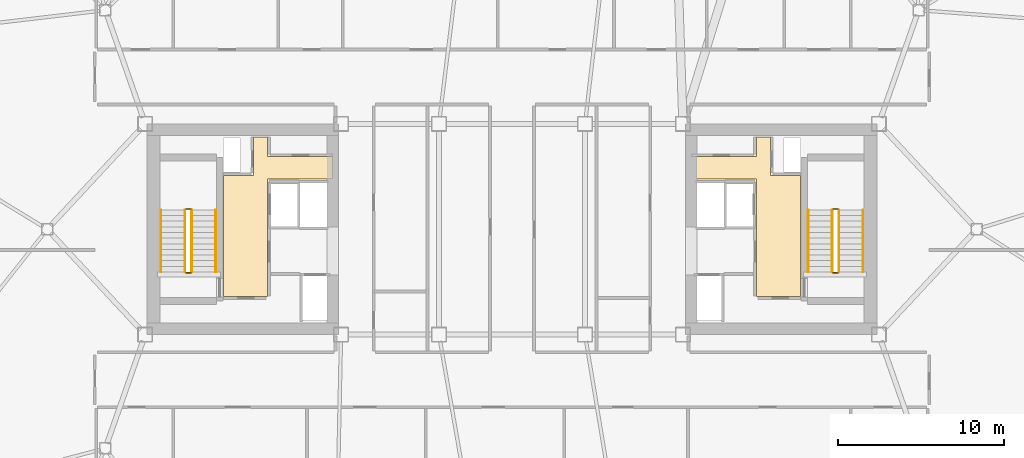
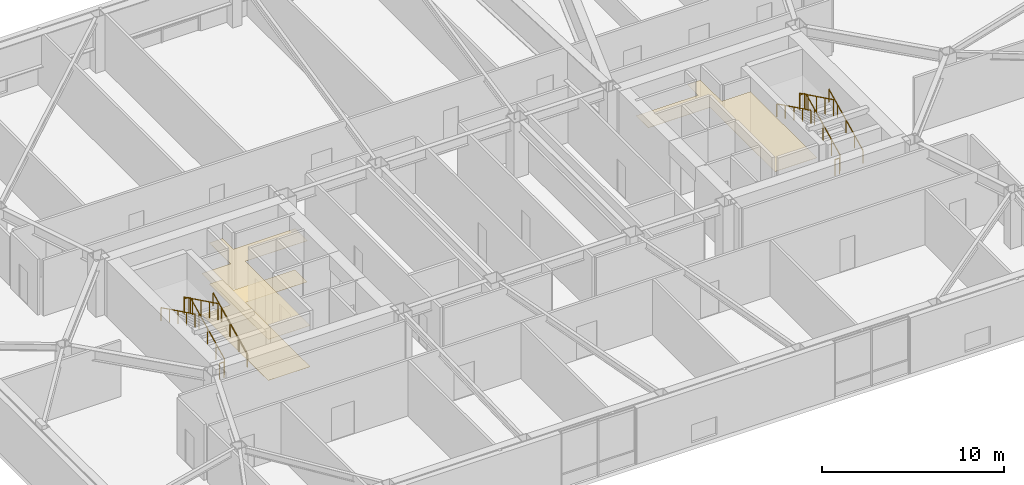
# One storey, part 18 of 19: 12 railings, 3 coverings.
"""IFC4 building model written with IfcOpenShell, lengths in metres."""

from ifc_helpers import new_model, si_unit, direction, frame, origin, origin_2d, place, context, subcontext, project, spatial, polyline, rectangle, outline, extrude, material, layer, layer_set, type_object, element, save


model = new_model("IFC4")

# Units and contexts
model_context = context("Model", 3, precision=1e-05, world=origin(), true_north=direction((0.0, 1.0)))
body_context = subcontext(model_context, "Body", "Model", "MODEL_VIEW")
ifc_project = project(units=[si_unit("LENGTHUNIT", "METRE"), si_unit("AREAUNIT", "SQUARE_METRE"), si_unit("VOLUMEUNIT", "CUBIC_METRE"), si_unit("PLANEANGLEUNIT", "RADIAN"), si_unit("MASSUNIT", "GRAM", prefix="KILO")], contexts=[model_context])

# Site, building, storey
site_placement = place(None, origin())
site = spatial("IfcSite", under=ifc_project, at=site_placement, CompositionType="ELEMENT")
building_placement = place(site_placement, origin())
building = spatial("IfcBuilding", under=site, at=building_placement, Name="Tavrogorsk Clinical Tower", CompositionType="ELEMENT")
storey_placement = place(building_placement, frame((0.0, 0.0, 172.199951171875)))
storey = spatial("IfcBuildingStorey", under=building, at=storey_placement, Name="L39", CompositionType="ELEMENT", Elevation=172.199951171875)

# Coverings
ifc_material_1 = material(Name="Antibacterial micro-perforated aluminium ceiling", Category="aluminium")
ifc_layer_1 = layer(ifc_material_1, 0.014892578125)
ifc_layer_set_1 = layer_set([ifc_layer_1], Name="Antibacterial micro-perforated aluminium ceiling")
covering_type_1 = type_object("IfcCoveringType", Name="ClinicalCeiling_15", PredefinedType="CEILING", material=ifc_layer_set_1)
covering_1_placement = place(storey_placement, frame((0.0, 0.0, 2.75)))
element("IfcCovering", 1, at=covering_1_placement, inside=storey, type_object=covering_type_1, Name="Core West Firefighting Lift Lobby Acoustic Ceiling", PredefinedType="CEILING", context=body_context, shape_type="SweptSolid", body=[
    extrude(outline(polyline([(-14.719970703125, 4.3798828125), (-10.800048828125, 4.3798828125), (-10.800048828125, 3.0400390625), (-14.719970703125, 3.0400390625), (-14.719970703125, -4.06005859375), (-17.3798828125, -4.06005859375), (-17.3798828125, 3.239990234375), (-15.56005859375, 3.239990234375), (-15.56005859375, 5.56005859375), (-14.719970703125, 5.56005859375), (-14.719970703125, 4.3798828125)])), origin(), (0.0, 0.0, 1.0), 0.01513671875),
])
covering_2_placement = place(storey_placement, frame((0.0, 0.0, 2.75)))
element("IfcCovering", 2, at=covering_2_placement, inside=storey, type_object=covering_type_1, Name="Core East Firefighting Lift Lobby Acoustic Ceiling", PredefinedType="CEILING", context=body_context, shape_type="SweptSolid", body=[
    extrude(outline(polyline([(14.719970703125, -4.06005859375), (14.719970703125, 3.0400390625), (10.800048828125, 3.0400390625), (10.800048828125, 4.3798828125), (14.719970703125, 4.3798828125), (14.719970703125, 5.56005859375), (15.56005859375, 5.56005859375), (15.56005859375, 3.239990234375), (17.3798828125, 3.239990234375), (17.3798828125, -4.06005859375), (14.719970703125, -4.06005859375)])), origin(), (0.0, 0.0, 1.0), 0.01513671875),
])
ifc_material_2 = material(Name="Homogeneous medical conductive PVC flooring")
ifc_layer_2 = layer(ifc_material_2, 0.008056640625)
ifc_layer_set_2 = layer_set([ifc_layer_2], Name="Homogeneous medical conductive PVC flooring")
covering_type_2 = type_object("IfcCoveringType", Name="ResilientVinylFloor_8", PredefinedType="FLOORING", material=ifc_layer_set_2)
covering_3_placement = place(storey_placement, origin())
element("IfcCovering", 3, at=covering_3_placement, inside=storey, type_object=covering_type_2, Name="Core West Firefighting Lift Lobby Conductive Vinyl Flooring", PredefinedType="FLOORING", context=body_context, shape_type="SweptSolid", body=[
    extrude(outline(polyline([(-14.719970703125, 4.3798828125), (-10.800048828125, 4.3798828125), (-10.800048828125, 3.0400390625), (-14.719970703125, 3.0400390625), (-14.719970703125, -4.06005859375), (-17.3798828125, -4.06005859375), (-17.3798828125, 3.239990234375), (-15.56005859375, 3.239990234375), (-15.56005859375, 5.56005859375), (-14.719970703125, 5.56005859375), (-14.719970703125, 4.3798828125)])), origin(), (0.0, 0.0, 1.0), 0.008056640625),
])

# Railings
ifc_material_3 = material(Name="Galvanised steel S355 safety stairwell guard", Category="steel")
ifc_layer_3 = layer(ifc_material_3, 0.06005859375)
ifc_layer_set_3 = layer_set([ifc_layer_3], Name="Galvanised steel S355 safety stairwell guard")
railing_type_1 = type_object("IfcRailingType", Name="StairGuard_1150", PredefinedType="GUARDRAIL", material=ifc_layer_set_3)
railing_1_placement = place(storey_placement, frame((-19.300048828125, -2.574951171875, 0.166748046875)))
element("IfcRailing", 4, at=railing_1_placement, inside=storey, type_object=railing_type_1, Name="L39 ST-W stair guard 1", PredefinedType="GUARDRAIL", context=body_context, shape_type="SweptSolid", body=[
    extrude(rectangle(XDim=0.048095703125, YDim=0.048095703125, at=origin_2d()), frame((0.0, 0.0, 1.076171875), z_axis=(0.0, 0.897927990467, 0.440142390523), x_axis=(-1.0, 0.0, 0.0)), (0.0, 0.0, 1.0), 4.1650390625),
    extrude(rectangle(XDim=0.0419921875, YDim=0.0419921875, at=origin_2d()), origin(), (0.0, 0.0, 1.0), 1.052001953125),
    extrude(rectangle(XDim=0.0419921875, YDim=0.0419921875, at=origin_2d()), frame((0.0, 0.93505859375, 0.458251953125)), (0.0, 0.0, 1.0), 1.052001953125),
    extrude(rectangle(XDim=0.0419921875, YDim=0.0419921875, at=origin_2d()), frame((0.0, 1.8701171875, 0.91650390625)), (0.0, 0.0, 1.0), 1.052001953125),
    extrude(rectangle(XDim=0.0419921875, YDim=0.0419921875, at=origin_2d()), frame((0.0, 2.804931640625, 1.375)), (0.0, 0.0, 1.0), 1.052001953125),
    extrude(rectangle(XDim=0.0419921875, YDim=0.0419921875, at=origin_2d()), frame((0.0, 3.739990234375, 1.833251953125)), (0.0, 0.0, 1.0), 1.052001953125),
])
railing_2_placement = place(storey_placement, frame((-19.35009765625, 1.215087890625, 2.0)))
element("IfcRailing", 5, at=railing_2_placement, inside=storey, type_object=railing_type_1, Name="L39 ST-W stair guard 2", PredefinedType="GUARDRAIL", context=body_context, shape_type="SweptSolid", body=[
    extrude(rectangle(XDim=0.048095703125, YDim=0.048095703125, at=origin_2d()), frame((0.0, 0.0, 1.076171875), z_axis=(-1.0, 0.0, 0.0), x_axis=(0.0, -1.0, 0.0)), (0.0, 0.0, 1.0), 0.2998046875),
    extrude(rectangle(XDim=0.0419921875, YDim=0.0419921875, at=origin_2d()), origin(), (0.0, 0.0, 1.0), 1.052001953125),
    extrude(rectangle(XDim=0.0419921875, YDim=0.0419921875, at=origin_2d()), frame((-0.2998046875, 0.0, 0.0)), (0.0, 0.0, 1.0), 1.052001953125),
])
railing_3_placement = place(storey_placement, frame((-19.699951171875, 1.1650390625, 2.166748046875)))
element("IfcRailing", 6, at=railing_3_placement, inside=storey, type_object=railing_type_1, Name="L39 ST-W stair guard 3", PredefinedType="GUARDRAIL", context=body_context, shape_type="SweptSolid", body=[
    extrude(rectangle(XDim=0.048095703125, YDim=0.048095703125, at=origin_2d()), frame((0.0, 0.0, 1.076171875), z_axis=(0.0, -0.897927990467, 0.440142390523), x_axis=(1.0, 0.0, 0.0)), (0.0, 0.0, 1.0), 4.1650390625),
    extrude(rectangle(XDim=0.0419921875, YDim=0.0419921875, at=origin_2d()), origin(), (0.0, 0.0, 1.0), 1.052001953125),
    extrude(rectangle(XDim=0.0419921875, YDim=0.0419921875, at=origin_2d()), frame((0.0, -0.93505859375, 0.458251953125)), (0.0, 0.0, 1.0), 1.052001953125),
    extrude(rectangle(XDim=0.0419921875, YDim=0.0419921875, at=origin_2d()), frame((0.0, -1.8701171875, 0.91650390625)), (0.0, 0.0, 1.0), 1.052001953125),
    extrude(rectangle(XDim=0.0419921875, YDim=0.0419921875, at=origin_2d()), frame((0.0, -2.804931640625, 1.375)), (0.0, 0.0, 1.0), 1.052001953125),
    extrude(rectangle(XDim=0.0419921875, YDim=0.0419921875, at=origin_2d()), frame((0.0, -3.739990234375, 1.833251953125)), (0.0, 0.0, 1.0), 1.052001953125),
])
railing_4_placement = place(storey_placement, frame((-19.35009765625, -2.625, 0.0)))
element("IfcRailing", 7, at=railing_4_placement, inside=storey, type_object=railing_type_1, Name="L39 ST-W stair guard 4", PredefinedType="GUARDRAIL", context=body_context, shape_type="SweptSolid", body=[
    extrude(rectangle(XDim=0.048095703125, YDim=0.048095703125, at=origin_2d()), frame((0.0, 0.0, 1.076171875), z_axis=(-1.0, 0.0, 0.0), x_axis=(0.0, -1.0, 0.0)), (0.0, 0.0, 1.0), 0.2998046875),
    extrude(rectangle(XDim=0.0419921875, YDim=0.0419921875, at=origin_2d()), origin(), (0.0, 0.0, 1.0), 1.052001953125),
    extrude(rectangle(XDim=0.0419921875, YDim=0.0419921875, at=origin_2d()), frame((-0.2998046875, 0.0, 0.0)), (0.0, 0.0, 1.0), 1.052001953125),
])
railing_5_placement = place(storey_placement, frame((19.699951171875, -2.574951171875, 0.166748046875)))
element("IfcRailing", 8, at=railing_5_placement, inside=storey, type_object=railing_type_1, Name="L39 ST-E stair guard 1", PredefinedType="GUARDRAIL", context=body_context, shape_type="SweptSolid", body=[
    extrude(rectangle(XDim=0.048095703125, YDim=0.048095703125, at=origin_2d()), frame((0.0, 0.0, 1.076171875), z_axis=(0.0, 0.897927990467, 0.440142390523), x_axis=(-1.0, 0.0, 0.0)), (0.0, 0.0, 1.0), 4.1650390625),
    extrude(rectangle(XDim=0.0419921875, YDim=0.0419921875, at=origin_2d()), origin(), (0.0, 0.0, 1.0), 1.052001953125),
    extrude(rectangle(XDim=0.0419921875, YDim=0.0419921875, at=origin_2d()), frame((0.0, 0.93505859375, 0.458251953125)), (0.0, 0.0, 1.0), 1.052001953125),
    extrude(rectangle(XDim=0.0419921875, YDim=0.0419921875, at=origin_2d()), frame((0.0, 1.8701171875, 0.91650390625)), (0.0, 0.0, 1.0), 1.052001953125),
    extrude(rectangle(XDim=0.0419921875, YDim=0.0419921875, at=origin_2d()), frame((0.0, 2.804931640625, 1.375)), (0.0, 0.0, 1.0), 1.052001953125),
    extrude(rectangle(XDim=0.0419921875, YDim=0.0419921875, at=origin_2d()), frame((0.0, 3.739990234375, 1.833251953125)), (0.0, 0.0, 1.0), 1.052001953125),
])
railing_6_placement = place(storey_placement, frame((19.64990234375, 1.215087890625, 2.0)))
element("IfcRailing", 9, at=railing_6_placement, inside=storey, type_object=railing_type_1, Name="L39 ST-E stair guard 2", PredefinedType="GUARDRAIL", context=body_context, shape_type="SweptSolid", body=[
    extrude(rectangle(XDim=0.048095703125, YDim=0.048095703125, at=origin_2d()), frame((0.0, 0.0, 1.076171875), z_axis=(-1.0, 0.0, 0.0), x_axis=(0.0, -1.0, 0.0)), (0.0, 0.0, 1.0), 0.2998046875),
    extrude(rectangle(XDim=0.0419921875, YDim=0.0419921875, at=origin_2d()), origin(), (0.0, 0.0, 1.0), 1.052001953125),
    extrude(rectangle(XDim=0.0419921875, YDim=0.0419921875, at=origin_2d()), frame((-0.2998046875, 0.0, 0.0)), (0.0, 0.0, 1.0), 1.052001953125),
])
railing_7_placement = place(storey_placement, frame((19.300048828125, 1.1650390625, 2.166748046875)))
element("IfcRailing", 10, at=railing_7_placement, inside=storey, type_object=railing_type_1, Name="L39 ST-E stair guard 3", PredefinedType="GUARDRAIL", context=body_context, shape_type="SweptSolid", body=[
    extrude(rectangle(XDim=0.048095703125, YDim=0.048095703125, at=origin_2d()), frame((0.0, 0.0, 1.076171875), z_axis=(0.0, -0.897927990467, 0.440142390523), x_axis=(1.0, 0.0, 0.0)), (0.0, 0.0, 1.0), 4.1650390625),
    extrude(rectangle(XDim=0.0419921875, YDim=0.0419921875, at=origin_2d()), origin(), (0.0, 0.0, 1.0), 1.052001953125),
    extrude(rectangle(XDim=0.0419921875, YDim=0.0419921875, at=origin_2d()), frame((0.0, -0.93505859375, 0.458251953125)), (0.0, 0.0, 1.0), 1.052001953125),
    extrude(rectangle(XDim=0.0419921875, YDim=0.0419921875, at=origin_2d()), frame((0.0, -1.8701171875, 0.91650390625)), (0.0, 0.0, 1.0), 1.052001953125),
    extrude(rectangle(XDim=0.0419921875, YDim=0.0419921875, at=origin_2d()), frame((0.0, -2.804931640625, 1.375)), (0.0, 0.0, 1.0), 1.052001953125),
    extrude(rectangle(XDim=0.0419921875, YDim=0.0419921875, at=origin_2d()), frame((0.0, -3.739990234375, 1.833251953125)), (0.0, 0.0, 1.0), 1.052001953125),
])
railing_8_placement = place(storey_placement, frame((19.64990234375, -2.625, 0.0)))
element("IfcRailing", 11, at=railing_8_placement, inside=storey, type_object=railing_type_1, Name="L39 ST-E stair guard 4", PredefinedType="GUARDRAIL", context=body_context, shape_type="SweptSolid", body=[
    extrude(rectangle(XDim=0.048095703125, YDim=0.048095703125, at=origin_2d()), frame((0.0, 0.0, 1.076171875), z_axis=(-1.0, 0.0, 0.0), x_axis=(0.0, -1.0, 0.0)), (0.0, 0.0, 1.0), 0.2998046875),
    extrude(rectangle(XDim=0.0419921875, YDim=0.0419921875, at=origin_2d()), origin(), (0.0, 0.0, 1.0), 1.052001953125),
    extrude(rectangle(XDim=0.0419921875, YDim=0.0419921875, at=origin_2d()), frame((-0.2998046875, 0.0, 0.0)), (0.0, 0.0, 1.0), 1.052001953125),
])
ifc_material_4 = material(Name="Stainless steel AISI 304 tubular handrail", Category="steel")
ifc_layer_4 = layer(ifc_material_4, 0.050048828125)
ifc_layer_set_4 = layer_set([ifc_layer_4], Name="Stainless steel AISI 304 tubular handrail")
railing_type_2 = type_object("IfcRailingType", Name="StairHandrail_920", PredefinedType="HANDRAIL", material=ifc_layer_set_4)
railing_9_placement = place(storey_placement, frame((-17.85009765625, -2.574951171875, 0.166748046875)))
element("IfcRailing", 12, at=railing_9_placement, inside=storey, type_object=railing_type_2, Name="L39 ST-W stair handrail 1", PredefinedType="HANDRAIL", context=body_context, shape_type="SweptSolid", body=[
    extrude(rectangle(XDim=0.048095703125, YDim=0.048095703125, at=origin_2d()), frame((0.0, 0.0, 0.8759765625), z_axis=(0.0, 0.897927990467, 0.440142390523), x_axis=(-1.0, 0.0, 0.0)), (0.0, 0.0, 1.0), 4.1650390625),
    extrude(rectangle(XDim=0.0419921875, YDim=0.0419921875, at=origin_2d()), origin(), (0.0, 0.0, 1.0), 0.851806640625),
    extrude(rectangle(XDim=0.0419921875, YDim=0.0419921875, at=origin_2d()), frame((0.0, 0.93505859375, 0.458251953125)), (0.0, 0.0, 1.0), 0.851806640625),
    extrude(rectangle(XDim=0.0419921875, YDim=0.0419921875, at=origin_2d()), frame((0.0, 1.8701171875, 0.91650390625)), (0.0, 0.0, 1.0), 0.851806640625),
    extrude(rectangle(XDim=0.0419921875, YDim=0.0419921875, at=origin_2d()), frame((0.0, 2.804931640625, 1.375)), (0.0, 0.0, 1.0), 0.851806640625),
    extrude(rectangle(XDim=0.0419921875, YDim=0.0419921875, at=origin_2d()), frame((0.0, 3.739990234375, 1.833251953125)), (0.0, 0.0, 1.0), 0.851806640625),
])
railing_10_placement = place(storey_placement, frame((-21.14990234375, 1.1650390625, 2.166748046875)))
element("IfcRailing", 13, at=railing_10_placement, inside=storey, type_object=railing_type_2, Name="L39 ST-W stair handrail 2", PredefinedType="HANDRAIL", context=body_context, shape_type="SweptSolid", body=[
    extrude(rectangle(XDim=0.048095703125, YDim=0.048095703125, at=origin_2d()), frame((0.0, 0.0, 0.8759765625), z_axis=(0.0, -0.897927990467, 0.440142390523), x_axis=(1.0, 0.0, 0.0)), (0.0, 0.0, 1.0), 4.1650390625),
    extrude(rectangle(XDim=0.0419921875, YDim=0.0419921875, at=origin_2d()), origin(), (0.0, 0.0, 1.0), 0.851806640625),
    extrude(rectangle(XDim=0.0419921875, YDim=0.0419921875, at=origin_2d()), frame((0.0, -0.93505859375, 0.458251953125)), (0.0, 0.0, 1.0), 0.851806640625),
    extrude(rectangle(XDim=0.0419921875, YDim=0.0419921875, at=origin_2d()), frame((0.0, -1.8701171875, 0.91650390625)), (0.0, 0.0, 1.0), 0.851806640625),
    extrude(rectangle(XDim=0.0419921875, YDim=0.0419921875, at=origin_2d()), frame((0.0, -2.804931640625, 1.375)), (0.0, 0.0, 1.0), 0.851806640625),
    extrude(rectangle(XDim=0.0419921875, YDim=0.0419921875, at=origin_2d()), frame((0.0, -3.739990234375, 1.833251953125)), (0.0, 0.0, 1.0), 0.851806640625),
])
railing_11_placement = place(storey_placement, frame((21.14990234375, -2.574951171875, 0.166748046875)))
element("IfcRailing", 14, at=railing_11_placement, inside=storey, type_object=railing_type_2, Name="L39 ST-E stair handrail 1", PredefinedType="HANDRAIL", context=body_context, shape_type="SweptSolid", body=[
    extrude(rectangle(XDim=0.048095703125, YDim=0.048095703125, at=origin_2d()), frame((0.0, 0.0, 0.8759765625), z_axis=(0.0, 0.897927990467, 0.440142390523), x_axis=(-1.0, 0.0, 0.0)), (0.0, 0.0, 1.0), 4.1650390625),
    extrude(rectangle(XDim=0.0419921875, YDim=0.0419921875, at=origin_2d()), origin(), (0.0, 0.0, 1.0), 0.851806640625),
    extrude(rectangle(XDim=0.0419921875, YDim=0.0419921875, at=origin_2d()), frame((0.0, 0.93505859375, 0.458251953125)), (0.0, 0.0, 1.0), 0.851806640625),
    extrude(rectangle(XDim=0.0419921875, YDim=0.0419921875, at=origin_2d()), frame((0.0, 1.8701171875, 0.91650390625)), (0.0, 0.0, 1.0), 0.851806640625),
    extrude(rectangle(XDim=0.0419921875, YDim=0.0419921875, at=origin_2d()), frame((0.0, 2.804931640625, 1.375)), (0.0, 0.0, 1.0), 0.851806640625),
    extrude(rectangle(XDim=0.0419921875, YDim=0.0419921875, at=origin_2d()), frame((0.0, 3.739990234375, 1.833251953125)), (0.0, 0.0, 1.0), 0.851806640625),
])
railing_12_placement = place(storey_placement, frame((17.85009765625, 1.1650390625, 2.166748046875)))
element("IfcRailing", 15, at=railing_12_placement, inside=storey, type_object=railing_type_2, Name="L39 ST-E stair handrail 2", PredefinedType="HANDRAIL", context=body_context, shape_type="SweptSolid", body=[
    extrude(rectangle(XDim=0.048095703125, YDim=0.048095703125, at=origin_2d()), frame((0.0, 0.0, 0.8759765625), z_axis=(0.0, -0.897927990467, 0.440142390523), x_axis=(1.0, 0.0, 0.0)), (0.0, 0.0, 1.0), 4.1650390625),
    extrude(rectangle(XDim=0.0419921875, YDim=0.0419921875, at=origin_2d()), origin(), (0.0, 0.0, 1.0), 0.851806640625),
    extrude(rectangle(XDim=0.0419921875, YDim=0.0419921875, at=origin_2d()), frame((0.0, -0.93505859375, 0.458251953125)), (0.0, 0.0, 1.0), 0.851806640625),
    extrude(rectangle(XDim=0.0419921875, YDim=0.0419921875, at=origin_2d()), frame((0.0, -1.8701171875, 0.91650390625)), (0.0, 0.0, 1.0), 0.851806640625),
    extrude(rectangle(XDim=0.0419921875, YDim=0.0419921875, at=origin_2d()), frame((0.0, -2.804931640625, 1.375)), (0.0, 0.0, 1.0), 0.851806640625),
    extrude(rectangle(XDim=0.0419921875, YDim=0.0419921875, at=origin_2d()), frame((0.0, -3.739990234375, 1.833251953125)), (0.0, 0.0, 1.0), 0.851806640625),
])

save(model, "model.ifc")
